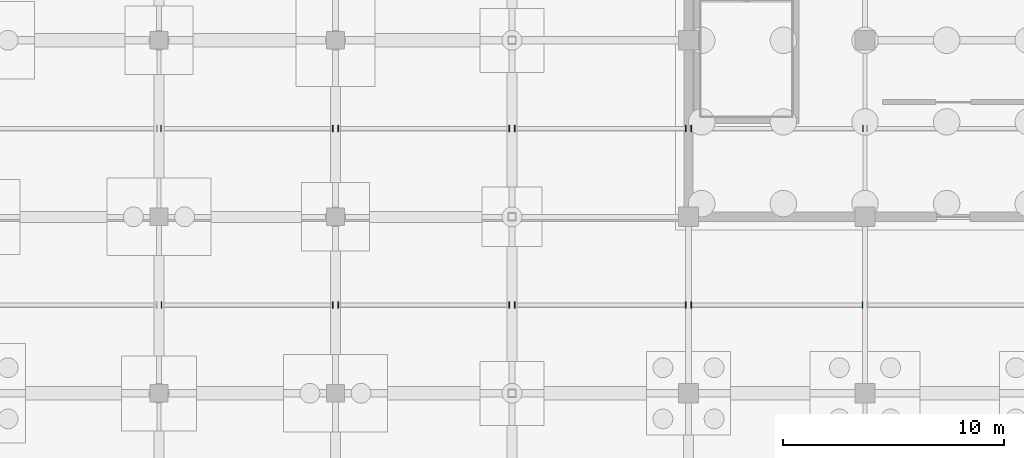
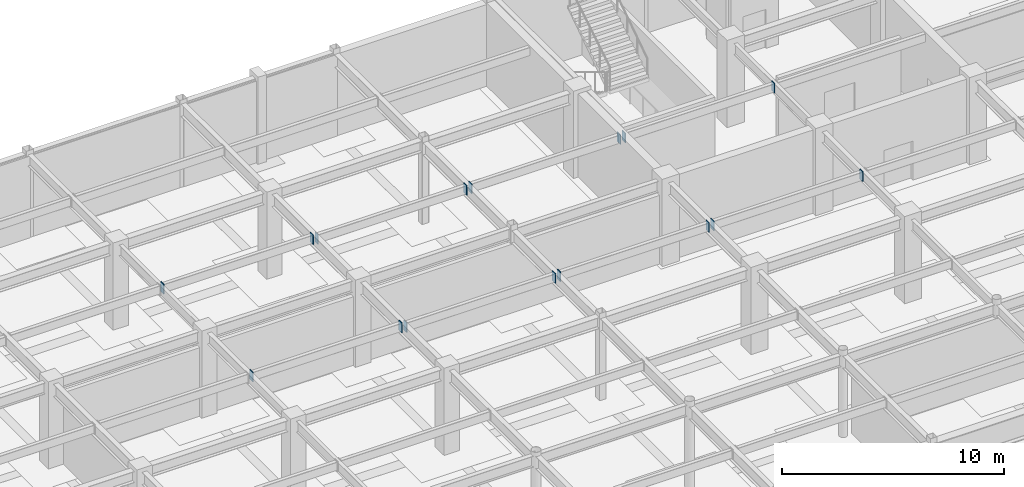
# One storey, part 86 of 105: 16 discrete accessories.
"""IFC4 building model written with IfcOpenShell, lengths in metres."""

from ifc_helpers import new_model, si_unit, direction, frame, origin, origin_2d, place, context, subcontext, project, spatial, rectangle, extrude, material, layer, layer_set, type_object, element, save


model = new_model("IFC4")

# Units and contexts
model_context = context("Model", 3, precision=1e-05, world=origin(), true_north=direction((0.0, 1.0)))
body_context = subcontext(model_context, "Body", "Model", "MODEL_VIEW")
ifc_project = project(units=[si_unit("LENGTHUNIT", "METRE"), si_unit("AREAUNIT", "SQUARE_METRE"), si_unit("VOLUMEUNIT", "CUBIC_METRE"), si_unit("PLANEANGLEUNIT", "RADIAN"), si_unit("MASSUNIT", "GRAM", prefix="KILO")], contexts=[model_context])

# Site, building, storey
site_placement = place(None, origin())
site = spatial("IfcSite", under=ifc_project, at=site_placement, CompositionType="ELEMENT")
building_placement = place(site_placement, origin())
building = spatial("IfcBuilding", under=site, at=building_placement, Name="Solmirada Galleria", CompositionType="ELEMENT")
storey_placement = place(building_placement, frame((0.0, 0.0, -4.800048828125)))
storey = spatial("IfcBuildingStorey", under=building, at=storey_placement, Name="B1", CompositionType="ELEMENT", Elevation=-4.800048828125)

# Discrete accessories
ifc_material = material(Name="Steel S355 / ASTM A572 Grade 50", Category="steel")
ifc_layer = layer(ifc_material, 0.031982421875)
ifc_layer_set = layer_set([ifc_layer], Name="Steel S355 / ASTM A572 Grade 50")
discrete_accessory_type = type_object("IfcDiscreteAccessoryType", Name="ACC-COL-CAP", PredefinedType="BRACKET", material=ifc_layer_set)
for number, where, z_axis, x_axis, name in (
    (1, (104.114013671875, 100.0, 4.08154296875), (0.0, 0.0, 1.0), (1.0, 0.0, 0.0), "Hollow joist end plate L00-14-13-L"),
    (2, (111.873046875, 100.0, 4.08154296875), (0.0, 0.0, 1.0), (1.0, 0.0, 0.0), "Hollow joist end plate L00-14-13-R"),
    (3, (104.089111328125, 108.0, 4.08154296875), (0.0, 0.0, 1.0), (1.0, 0.0, 0.0), "Hollow joist end plate L00-14-14-L"),
    (4, (111.873046875, 108.0, 4.08154296875), (0.0, 0.0, 1.0), (1.0, 0.0, 0.0), "Hollow joist end plate L00-14-14-R"),
    (5, (112.126953125, 100.0, 4.00146484375), (0.0, 0.0, 1.0), (1.0, 0.0, 0.0), "Hollow joist end plate L00-15-13-L"),
    (6, (119.8720703125, 100.0, 4.00146484375), (0.0, 0.0, 1.0), (1.0, 0.0, 0.0), "Hollow joist end plate L00-15-13-R"),
    (7, (112.126953125, 108.0, 4.00146484375), (0.0, 0.0, 1.0), (1.0, 0.0, 0.0), "Hollow joist end plate L00-15-14-L"),
    (8, (119.8720703125, 108.0, 4.00146484375), (0.0, 0.0, 1.0), (1.0, 0.0, 0.0), "Hollow joist end plate L00-15-14-R"),
    (9, (120.1279296875, 100.0, 4.00146484375), (0.0, 0.0, 1.0), (1.0, 0.0, 0.0), "Hollow joist end plate L00-16-13-L"),
    (10, (127.873046875, 100.0, 4.00146484375), (0.0, 0.0, 1.0), (1.0, 0.0, 0.0), "Hollow joist end plate L00-16-13-R"),
    (11, (120.1279296875, 108.0, 4.00146484375), (0.0, 0.0, 1.0), (1.0, 0.0, 0.0), "Hollow joist end plate L00-16-14-L"),
    (12, (127.873046875, 108.0, 4.00146484375), (0.0, 0.0, 1.0), (1.0, 0.0, 0.0), "Hollow joist end plate L00-16-14-R"),
    (13, (128.126953125, 100.0, 4.00146484375), (0.0, 0.0, 1.0), (1.0, 0.0, 0.0), "Hollow joist end plate L00-17-13-L"),
    (14, (135.885986328125, 100.0, 4.00146484375), (0.0, 0.0, 1.0), (1.0, 0.0, 0.0), "Hollow joist end plate L00-17-13-R"),
    (15, (128.126953125, 108.0, 4.00146484375), (0.0, 0.0, 1.0), (1.0, 0.0, 0.0), "Hollow joist end plate L00-17-14-L"),
    (16, (135.910888671875, 108.0, 4.00146484375), (0.0, 0.0, 1.0), (1.0, 0.0, 0.0), "Hollow joist end plate L00-17-14-R"),
):
    element("IfcDiscreteAccessory", number, at=place(storey_placement, frame(where, z_axis=z_axis, x_axis=x_axis)), inside=storey, type_object=discrete_accessory_type, Name=name, PredefinedType="BRACKET", context=body_context, shape_type="SweptSolid", body=[
        extrude(rectangle(XDim=0.035888671875, YDim=0.280029296875, at=origin_2d()), origin(), (0.0, 0.0, 1.0), 0.5400390625),
    ])

save(model, "model.ifc")
